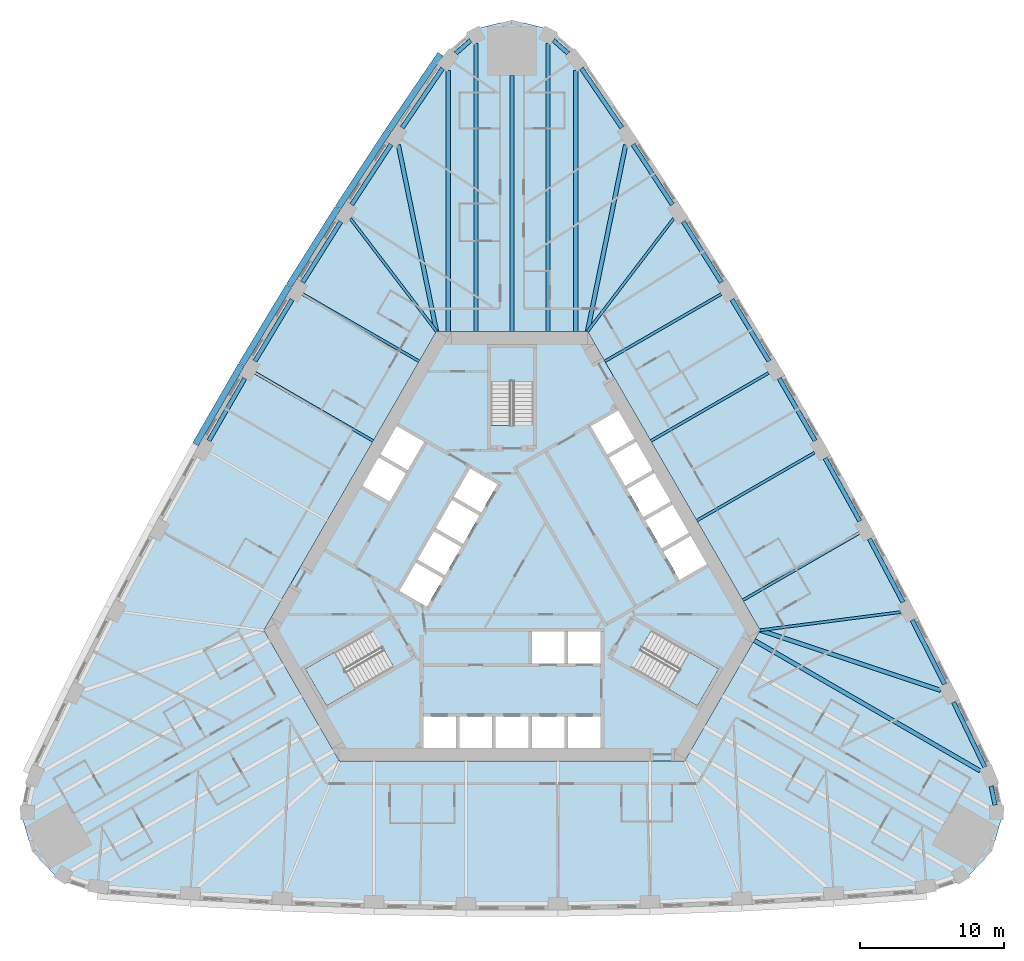
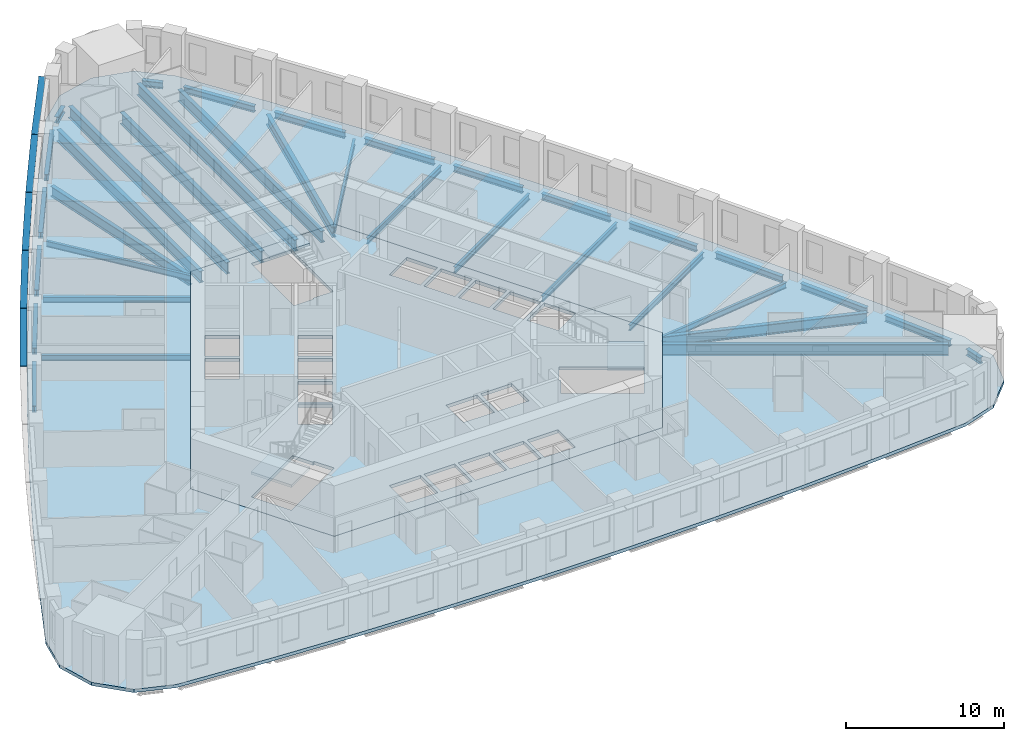
# One storey, part 2 of 13: 35 beams, 5 members, 5 slabs, 3 elements without a shape of their own.
"""IFC4 building model written with IfcOpenShell, lengths in metres."""

from ifc_helpers import new_model, si_unit, direction, frame, origin, origin_2d, place, context, subcontext, project, spatial, polyline, rectangle, i_section, outline, extrude, material, layer, layer_set, material_profile, profile_set, type_object, element, aggregate, save


model = new_model("IFC4")

# Units and contexts
model_context = context("Model", 3, precision=1e-05, world=origin(), true_north=direction((0.0, 1.0)))
body_context = subcontext(model_context, "Body", "Model", "MODEL_VIEW")
ifc_project = project(units=[si_unit("LENGTHUNIT", "METRE"), si_unit("AREAUNIT", "SQUARE_METRE"), si_unit("VOLUMEUNIT", "CUBIC_METRE"), si_unit("PLANEANGLEUNIT", "RADIAN"), si_unit("MASSUNIT", "GRAM", prefix="KILO")], contexts=[model_context])

# Site, building, storey
site_placement = place(None, origin())
site = spatial("IfcSite", under=ifc_project, at=site_placement, CompositionType="ELEMENT")
building_placement = place(site_placement, origin())
building = spatial("IfcBuilding", under=site, at=building_placement, Name="Mestral Congress Tower", CompositionType="ELEMENT")
storey_placement = place(building_placement, frame((0.0, 0.0, 58.800048828125)))
storey = spatial("IfcBuildingStorey", under=building, at=storey_placement, Name="L13", CompositionType="ELEMENT", Elevation=58.800048828125)

# Members
ifc_material_1 = material(Name="Glazed ceramic", Category="masonry")
ifc_material_profile_1 = material_profile(ifc_material_1, rectangle(XDim=0.449951171875, YDim=0.06005859375, at=origin_2d()), Name="Ceramic blade 450 x 60")
ifc_profile_set_1 = profile_set([ifc_material_profile_1], Name="Glazed ceramic")
member_type = type_object("IfcMemberType", Name="Facade sunshade blade 450 x 60", PredefinedType="USERDEFINED", material=ifc_profile_set_1)
member_1_placement = place(storey_placement, frame((-4.973388671875, 36.188232421875, 3.280029296875), z_axis=(-0.562633427576, -0.826706493367, 0.0), x_axis=(0.826706493367, -0.562633427576, 0.0)))
element("IfcMember", 1, at=member_1_placement, inside=storey, type_object=member_type, Name="Sunshade F2-00", ObjectType="SUNSHADE", PredefinedType="USERDEFINED", context=body_context, shape_type="SweptSolid", body=[
    extrude(rectangle(XDim=0.449951171875, YDim=0.06005859375, at=origin_2d()), origin(), (0.0, 0.0, 1.0), 6.4208984375),
])
member_2_placement = place(storey_placement, frame((-8.6103515625, 30.843505859375, 3.280029296875), z_axis=(-0.547211145376, -0.836994601163, 0.0), x_axis=(0.836994601163, -0.547211145376, 0.0)))
element("IfcMember", 2, at=member_2_placement, inside=storey, type_object=member_type, Name="Sunshade F2-01", ObjectType="SUNSHADE", PredefinedType="USERDEFINED", context=body_context, shape_type="SweptSolid", body=[
    extrude(rectangle(XDim=0.449951171875, YDim=0.06005859375, at=origin_2d()), origin(), (0.0, 0.0, 1.0), 6.368408203125),
])
for number, where, z_axis, x_axis, name in (
    (3, (-12.119140625, 25.47607421875, 3.280029296875), (-0.531665815747, -0.846954225662, 0.0), (0.846954225662, -0.531665815747, 0.0), "Sunshade F2-02"),
    (4, (-15.528076171875, 20.044921875, 3.280029296875), (-0.515904518528, -0.856646092481, 0.0), (0.856646092481, -0.515904518528, 0.0), "Sunshade F2-03"),
):
    element("IfcMember", number, at=place(storey_placement, frame(where, z_axis=z_axis, x_axis=x_axis)), inside=storey, type_object=member_type, Name=name, ObjectType="SUNSHADE", PredefinedType="USERDEFINED", context=body_context, shape_type="SweptSolid", body=[
        extrude(rectangle(XDim=0.449951171875, YDim=0.06005859375, at=origin_2d()), origin(), (0.0, 0.0, 1.0), 6.3681640625),
    ])
member_3_placement = place(storey_placement, frame((-18.8359375, 14.5517578125, 3.280029296875), z_axis=(-0.499990149842, -0.866031090701, 0.0), x_axis=(0.866031090701, -0.499990149842, 0.0)))
element("IfcMember", 5, at=member_3_placement, inside=storey, type_object=member_type, Name="Sunshade F2-04", ObjectType="SUNSHADE", PredefinedType="USERDEFINED", context=body_context, shape_type="SweptSolid", body=[
    extrude(rectangle(XDim=0.449951171875, YDim=0.06005859375, at=origin_2d()), origin(), (0.0, 0.0, 1.0), 6.368408203125),
])

# Beams
ifc_material_2 = material(Name="Steel S355", Category="steel")
ifc_material_profile_2 = material_profile(ifc_material_2, i_section(OverallWidth=0.300048828125, OverallDepth=0.800048828125, WebThickness=0.017578125, FlangeThickness=0.032958984375, FilletRadius=0.030029296875, at=origin_2d()), Name="HEB 800")
ifc_profile_set_2 = profile_set([ifc_material_profile_2], Name="Steel S355")
beam_type_1 = type_object("IfcBeamType", Name="Floor beam HEB 800 S355", PredefinedType="BEAM", material=ifc_profile_set_2)
for number, where, z_axis, x_axis, name in (
    (6, (29.8203125, -8.08349609375, -0.650146484375), (-0.948734931285, 0.316072824141, 0.0), (-0.316072824141, -0.948734931285, 0.0), "BM-L13-RB1-E01"),
    (7, (7.90966796875, 29.86669921875, -0.650146484375), (-0.200647311614, -0.979663542418, 0.0), (0.979663542418, -0.200647311614, 0.0), "BM-L13-RB1-E08"),
    (8, (-7.90966796875, 29.86669921875, -0.650146484375), (0.200647311614, -0.979663542418, 0.0), (0.979663542418, 0.200647311614, 0.0), "BM-L13-RB1-W01"),
):
    element("IfcBeam", number, at=place(storey_placement, frame(where, z_axis=z_axis, x_axis=x_axis)), inside=storey, type_object=beam_type_1, Name=name, PredefinedType="BEAM", context=body_context, shape_type="SweptSolid", body=[
        extrude(i_section(OverallWidth=0.300048828125, OverallDepth=0.800048828125, WebThickness=0.017578125, FlangeThickness=0.032958984375, FilletRadius=0.030029296875, at=origin_2d()), origin(), (0.0, 0.0, 1.0), 13.236083984375),
    ])
ifc_material_profile_3 = material_profile(ifc_material_2, i_section(OverallWidth=0.300048828125, OverallDepth=0.89990234375, WebThickness=0.0185546875, FlangeThickness=0.034912109375, FilletRadius=0.030029296875, at=origin_2d()), Name="HEB 900")
ifc_profile_set_3 = profile_set([ifc_material_profile_3], Name="Steel S355")
beam_type_2 = type_object("IfcBeamType", Name="Floor beam HEB 900 S355", PredefinedType="BEAM", material=ifc_profile_set_3)
beam_1_placement = place(storey_placement, frame((32.574462890625, -13.6845703125, -0.699951171875), z_axis=(-0.866029704776, 0.49999255039, 0.0), x_axis=(-0.49999255039, -0.866029704776, 0.0)))
element("IfcBeam", 9, at=beam_1_placement, inside=storey, type_object=beam_type_2, Name="BM-L13-RB1-E00", PredefinedType="BEAM", context=body_context, shape_type="SweptSolid", body=[
    extrude(i_section(OverallWidth=0.300048828125, OverallDepth=0.89990234375, WebThickness=0.0185546875, FlangeThickness=0.034912109375, FilletRadius=0.030029296875, at=origin_2d()), origin(), (0.0, 0.0, 1.0), 18.152587890625),
])
beam_2_placement = place(storey_placement, frame((4.43603515625, 35.052734375, -0.699951171875), z_axis=(0.0, -1.0, 0.0), x_axis=(1.0, 0.0, 0.0)))
element("IfcBeam", 10, at=beam_2_placement, inside=storey, type_object=beam_type_2, Name="BM-L13-RB1-E09", PredefinedType="BEAM", context=body_context, shape_type="SweptSolid", body=[
    extrude(i_section(OverallWidth=0.300048828125, OverallDepth=0.89990234375, WebThickness=0.0185546875, FlangeThickness=0.034912109375, FilletRadius=0.030029296875, at=origin_2d()), origin(), (0.0, 0.0, 1.0), 18.15283203125),
])
beam_3_placement = place(storey_placement, frame((2.503173828125, 36.91943359375, -0.699951171875), z_axis=(0.0, -1.0, 0.0), x_axis=(1.0, 0.0, 0.0)))
element("IfcBeam", 11, at=beam_3_placement, inside=storey, type_object=beam_type_2, Name="BM-L13-RB1-N1", PredefinedType="BEAM", context=body_context, shape_type="SweptSolid", body=[
    extrude(i_section(OverallWidth=0.300048828125, OverallDepth=0.89990234375, WebThickness=0.0185546875, FlangeThickness=0.034912109375, FilletRadius=0.030029296875, at=origin_2d()), origin(), (0.0, 0.0, 1.0), 20.01953125),
])
beam_4_placement = place(storey_placement, frame((0.0, 34.698974609375, -0.699951171875), z_axis=(0.0, -1.0, 0.0), x_axis=(1.0, 0.0, 0.0)))
element("IfcBeam", 12, at=beam_4_placement, inside=storey, type_object=beam_type_2, Name="BM-L13-RB1-N", PredefinedType="BEAM", context=body_context, shape_type="SweptSolid", body=[
    extrude(i_section(OverallWidth=0.300048828125, OverallDepth=0.89990234375, WebThickness=0.0185546875, FlangeThickness=0.034912109375, FilletRadius=0.030029296875, at=origin_2d()), origin(), (0.0, 0.0, 1.0), 17.799072265625),
])
beam_5_placement = place(storey_placement, frame((-2.503173828125, 36.91943359375, -0.699951171875), z_axis=(0.0, -1.0, 0.0), x_axis=(1.0, 0.0, 0.0)))
element("IfcBeam", 13, at=beam_5_placement, inside=storey, type_object=beam_type_2, Name="BM-L13-RB1-N3", PredefinedType="BEAM", context=body_context, shape_type="SweptSolid", body=[
    extrude(i_section(OverallWidth=0.300048828125, OverallDepth=0.89990234375, WebThickness=0.0185546875, FlangeThickness=0.034912109375, FilletRadius=0.030029296875, at=origin_2d()), origin(), (0.0, 0.0, 1.0), 20.01953125),
])
beam_6_placement = place(storey_placement, frame((-4.43603515625, 35.052734375, -0.699951171875), z_axis=(0.0, -1.0, 0.0), x_axis=(1.0, 0.0, 0.0)))
element("IfcBeam", 14, at=beam_6_placement, inside=storey, type_object=beam_type_2, Name="BM-L13-RB1-W00", PredefinedType="BEAM", context=body_context, shape_type="SweptSolid", body=[
    extrude(i_section(OverallWidth=0.300048828125, OverallDepth=0.89990234375, WebThickness=0.0185546875, FlangeThickness=0.034912109375, FilletRadius=0.030029296875, at=origin_2d()), origin(), (0.0, 0.0, 1.0), 18.15283203125),
])
ifc_material_profile_4 = material_profile(ifc_material_2, i_section(OverallWidth=0.18994140625, OverallDepth=0.449951171875, WebThickness=0.009521484375, FlangeThickness=0.0146484375, FilletRadius=0.02099609375, at=origin_2d()), Name="IPE 450")
ifc_profile_set_4 = profile_set([ifc_material_profile_4], Name="Steel S355")
beam_type_3 = type_object("IfcBeamType", Name="Floor beam IPE 450 S355", PredefinedType="BEAM", material=ifc_profile_set_4)
beam_7_placement = place(storey_placement, frame((27.058349609375, -2.6337890625, -0.47509765625), z_axis=(-0.99175011495, -0.128186229747, 0.0), x_axis=(0.128186229747, -0.99175011495, 0.0)))
element("IfcBeam", 15, at=beam_7_placement, inside=storey, type_object=beam_type_3, Name="BM-L13-RB1-E02", PredefinedType="BEAM", context=body_context, shape_type="SweptSolid", body=[
    extrude(i_section(OverallWidth=0.18994140625, OverallDepth=0.449951171875, WebThickness=0.009521484375, FlangeThickness=0.0146484375, FilletRadius=0.02099609375, at=origin_2d()), origin(), (0.0, 0.0, 1.0), 9.877197265625),
])
beam_8_placement = place(storey_placement, frame((24.150634765625, 2.859619140625, -0.47509765625), z_axis=(-0.866032011123, -0.499988555579, 0.0), x_axis=(0.499988555579, -0.866032011123, 0.0)))
element("IfcBeam", 16, at=beam_8_placement, inside=storey, type_object=beam_type_3, Name="BM-L13-RB1-E03", PredefinedType="BEAM", context=body_context, shape_type="SweptSolid", body=[
    extrude(i_section(OverallWidth=0.18994140625, OverallDepth=0.449951171875, WebThickness=0.009521484375, FlangeThickness=0.0146484375, FilletRadius=0.02099609375, at=origin_2d()), origin(), (0.0, 0.0, 1.0), 9.344970703125),
])
for number, where, z_axis, x_axis, name in (
    (17, (21.0537109375, 8.46044921875, -0.47509765625), (-0.866019749231, -0.500009793847, 0.0), (0.500009793847, -0.866019749231, 0.0), "BM-L13-RB1-E04"),
    (18, (17.853759765625, 14.0029296875, -0.47509765625), (-0.866019749231, -0.500009793847, 0.0), (0.500009793847, -0.866019749231, 0.0), "BM-L13-RB1-E05"),
):
    element("IfcBeam", number, at=place(storey_placement, frame(where, z_axis=z_axis, x_axis=x_axis)), inside=storey, type_object=beam_type_3, Name=name, PredefinedType="BEAM", context=body_context, shape_type="SweptSolid", body=[
        extrude(i_section(OverallWidth=0.18994140625, OverallDepth=0.449951171875, WebThickness=0.009521484375, FlangeThickness=0.0146484375, FilletRadius=0.02099609375, at=origin_2d()), origin(), (0.0, 0.0, 1.0), 9.463134765625),
    ])
beam_9_placement = place(storey_placement, frame((14.5517578125, 19.485107421875, -0.47509765625), z_axis=(-0.866025479842, -0.499999868264, 0.0), x_axis=(0.499999868264, -0.866025479842, 0.0)))
element("IfcBeam", 19, at=beam_9_placement, inside=storey, type_object=beam_type_3, Name="BM-L13-RB1-E06", PredefinedType="BEAM", context=body_context, shape_type="SweptSolid", body=[
    extrude(i_section(OverallWidth=0.18994140625, OverallDepth=0.449951171875, WebThickness=0.009521484375, FlangeThickness=0.0146484375, FilletRadius=0.02099609375, at=origin_2d()), origin(), (0.0, 0.0, 1.0), 9.3447265625),
])
for number, where, z_axis, x_axis, name in (
    (20, (11.248291015625, 24.75, -0.47509765625), (-0.606898557801, -0.794779303039, 0.0), (0.794779303039, -0.606898557801, 0.0), "BM-L13-RB1-E07"),
    (21, (-11.248291015625, 24.75, -0.47509765625), (0.606898557801, -0.794779303039, 0.0), (0.794779303039, 0.606898557801, 0.0), "BM-L13-RB1-W02"),
):
    element("IfcBeam", number, at=place(storey_placement, frame(where, z_axis=z_axis, x_axis=x_axis)), inside=storey, type_object=beam_type_3, Name=name, PredefinedType="BEAM", context=body_context, shape_type="SweptSolid", body=[
        extrude(i_section(OverallWidth=0.18994140625, OverallDepth=0.449951171875, WebThickness=0.009521484375, FlangeThickness=0.0146484375, FilletRadius=0.02099609375, at=origin_2d()), origin(), (0.0, 0.0, 1.0), 9.877197265625),
    ])
beam_10_placement = place(storey_placement, frame((-14.5517578125, 19.485107421875, -0.47509765625), z_axis=(0.866025479842, -0.499999868264, 0.0), x_axis=(0.499999868264, 0.866025479842, 0.0)))
element("IfcBeam", 22, at=beam_10_placement, inside=storey, type_object=beam_type_3, Name="BM-L13-RB1-W03", PredefinedType="BEAM", context=body_context, shape_type="SweptSolid", body=[
    extrude(i_section(OverallWidth=0.18994140625, OverallDepth=0.449951171875, WebThickness=0.009521484375, FlangeThickness=0.0146484375, FilletRadius=0.02099609375, at=origin_2d()), origin(), (0.0, 0.0, 1.0), 9.3447265625),
])
beam_11_placement = place(storey_placement, frame((-17.853759765625, 14.0029296875, -0.47509765625), z_axis=(0.866019749231, -0.500009793847, 0.0), x_axis=(0.500009793847, 0.866019749231, 0.0)))
element("IfcBeam", 23, at=beam_11_placement, inside=storey, type_object=beam_type_3, Name="BM-L13-RB1-W04", PredefinedType="BEAM", context=body_context, shape_type="SweptSolid", body=[
    extrude(i_section(OverallWidth=0.18994140625, OverallDepth=0.449951171875, WebThickness=0.009521484375, FlangeThickness=0.0146484375, FilletRadius=0.02099609375, at=origin_2d()), origin(), (0.0, 0.0, 1.0), 9.463134765625),
])
ifc_material_profile_5 = material_profile(ifc_material_2, i_section(OverallWidth=0.300048828125, OverallDepth=0.489990234375, WebThickness=0.011962890625, FlangeThickness=0.02294921875, FilletRadius=0.027099609375, at=origin_2d()), Name="HEA 500")
ifc_profile_set_5 = profile_set([ifc_material_profile_5], Name="Steel S355")
beam_type_4 = type_object("IfcBeamType", Name="Spandrel beam HEA 500 S355", PredefinedType="BEAM", material=ifc_profile_set_5)
beam_12_placement = place(storey_placement, frame((33.611328125, -16.0693359375, -0.4951171875), z_axis=(-0.197991750859, 0.980203686277, 0.0), x_axis=(-0.980203686277, -0.197991750859, 0.0)))
element("IfcBeam", 24, at=beam_12_placement, inside=storey, type_object=beam_type_4, Name="SP-L13-SB1-SE3", PredefinedType="BEAM", context=body_context, shape_type="SweptSolid", body=[
    extrude(i_section(OverallWidth=0.300048828125, OverallDepth=0.489990234375, WebThickness=0.011962890625, FlangeThickness=0.02294921875, FilletRadius=0.027099609375, at=origin_2d()), origin(), (0.0, 0.0, 1.0), 1.3515625),
])
beam_13_placement = place(storey_placement, frame((32.897705078125, -13.415283203125, -0.4951171875), z_axis=(-0.434645244295, 0.900601749727, 0.0), x_axis=(-0.900601749727, -0.434645244295, 0.0)))
element("IfcBeam", 25, at=beam_13_placement, inside=storey, type_object=beam_type_4, Name="SP-L13-SB1-E00", PredefinedType="BEAM", context=body_context, shape_type="SweptSolid", body=[
    extrude(i_section(OverallWidth=0.300048828125, OverallDepth=0.489990234375, WebThickness=0.011962890625, FlangeThickness=0.02294921875, FilletRadius=0.027099609375, at=origin_2d()), origin(), (0.0, 0.0, 1.0), 4.998046875),
])
beam_14_placement = place(storey_placement, frame((30.105224609375, -7.658935546875, -0.4951171875), z_axis=(-0.45123261425, 0.892406369227, 0.0), x_axis=(-0.892406369227, -0.45123261425, 0.0)))
element("IfcBeam", 26, at=beam_14_placement, inside=storey, type_object=beam_type_4, Name="SP-L13-SB1-E01", PredefinedType="BEAM", context=body_context, shape_type="SweptSolid", body=[
    extrude(i_section(OverallWidth=0.300048828125, OverallDepth=0.489990234375, WebThickness=0.011962890625, FlangeThickness=0.02294921875, FilletRadius=0.027099609375, at=origin_2d()), origin(), (0.0, 0.0, 1.0), 4.999755859375),
])
beam_15_placement = place(storey_placement, frame((27.2060546875, -1.95361328125, -0.4951171875), z_axis=(-0.467681307417, 0.883897162962, 0.0), x_axis=(-0.883897162962, -0.467681307417, 0.0)))
element("IfcBeam", 27, at=beam_15_placement, inside=storey, type_object=beam_type_4, Name="SP-L13-SB1-E02", PredefinedType="BEAM", context=body_context, shape_type="SweptSolid", body=[
    extrude(i_section(OverallWidth=0.300048828125, OverallDepth=0.489990234375, WebThickness=0.011962890625, FlangeThickness=0.02294921875, FilletRadius=0.027099609375, at=origin_2d()), origin(), (0.0, 0.0, 1.0), 5.0),
])
for number, where, z_axis, x_axis, name in (
    (28, (24.20166015625, 3.697265625, -0.4951171875), (-0.483900688062, 0.875122919419, 0.0), (-0.875122919419, -0.483900688062, 0.0), "SP-L13-SB1-E03"),
    (29, (21.093505859375, 9.291748046875, -0.4951171875), (-0.50002537861, 0.866010750942, 0.0), (-0.866010750942, -0.50002537861, 0.0), "SP-L13-SB1-E04"),
    (30, (17.88232421875, 14.82763671875, -0.4951171875), (-0.515938385622, 0.85662569553, 0.0), (-0.85662569553, -0.515938385622, 0.0), "SP-L13-SB1-E05"),
    (31, (14.5693359375, 20.302978515625, -0.4951171875), (-0.531661433361, 0.846956976639, 0.0), (-0.846956976639, -0.531661433361, 0.0), "SP-L13-SB1-E06"),
):
    element("IfcBeam", number, at=place(storey_placement, frame(where, z_axis=z_axis, x_axis=x_axis)), inside=storey, type_object=beam_type_4, Name=name, PredefinedType="BEAM", context=body_context, shape_type="SweptSolid", body=[
        extrude(i_section(OverallWidth=0.300048828125, OverallDepth=0.489990234375, WebThickness=0.011962890625, FlangeThickness=0.02294921875, FilletRadius=0.027099609375, at=origin_2d()), origin(), (0.0, 0.0, 1.0), 4.999755859375),
    ])
beam_16_placement = place(storey_placement, frame((11.156005859375, 25.716552734375, -0.4951171875), z_axis=(-0.547263834194, 0.836960151849, 0.0), x_axis=(-0.836960151849, -0.547263834194, 0.0)))
element("IfcBeam", 32, at=beam_16_placement, inside=storey, type_object=beam_type_4, Name="SP-L13-SB1-E07", PredefinedType="BEAM", context=body_context, shape_type="SweptSolid", body=[
    extrude(i_section(OverallWidth=0.300048828125, OverallDepth=0.489990234375, WebThickness=0.011962890625, FlangeThickness=0.02294921875, FilletRadius=0.027099609375, at=origin_2d()), origin(), (0.0, 0.0, 1.0), 5.0),
])
beam_17_placement = place(storey_placement, frame((7.642822265625, 31.06591796875, -0.4951171875), z_axis=(-0.562610596841, 0.826722030868, 0.0), x_axis=(-0.826722030868, -0.562610596841, 0.0)))
element("IfcBeam", 33, at=beam_17_placement, inside=storey, type_object=beam_type_4, Name="SP-L13-SB1-E08", PredefinedType="BEAM", context=body_context, shape_type="SweptSolid", body=[
    extrude(i_section(OverallWidth=0.300048828125, OverallDepth=0.489990234375, WebThickness=0.011962890625, FlangeThickness=0.02294921875, FilletRadius=0.027099609375, at=origin_2d()), origin(), (0.0, 0.0, 1.0), 4.998046875),
])
for number, where, z_axis, x_axis, name in (
    (34, (3.902587890625, 36.248779296875, -0.4951171875), (-0.749806226219, 0.661657481725, 0.0), (-0.661657481725, -0.749806226219, 0.0), "SP-L13-SB1-E09"),
    (35, (-2.88916015625, 37.14306640625, -0.4951171875), (-0.749806226219, -0.661657481725, 0.0), (0.661657481725, -0.749806226219, 0.0), "SP-L13-SB1-N3"),
):
    element("IfcBeam", number, at=place(storey_placement, frame(where, z_axis=z_axis, x_axis=x_axis)), inside=storey, type_object=beam_type_4, Name=name, PredefinedType="BEAM", context=body_context, shape_type="SweptSolid", body=[
        extrude(i_section(OverallWidth=0.300048828125, OverallDepth=0.489990234375, WebThickness=0.011962890625, FlangeThickness=0.02294921875, FilletRadius=0.027099609375, at=origin_2d()), origin(), (0.0, 0.0, 1.0), 1.3515625),
    ])
beam_18_placement = place(storey_placement, frame((-4.830810546875, 35.197998046875, -0.4951171875), z_axis=(-0.562610596841, -0.826722030868, 0.0), x_axis=(0.826722030868, -0.562610596841, 0.0)))
element("IfcBeam", 36, at=beam_18_placement, inside=storey, type_object=beam_type_4, Name="SP-L13-SB1-W00", PredefinedType="BEAM", context=body_context, shape_type="SweptSolid", body=[
    extrude(i_section(OverallWidth=0.300048828125, OverallDepth=0.489990234375, WebThickness=0.011962890625, FlangeThickness=0.02294921875, FilletRadius=0.027099609375, at=origin_2d()), origin(), (0.0, 0.0, 1.0), 4.998046875),
])
beam_19_placement = place(storey_placement, frame((-8.419677734375, 29.9013671875, -0.4951171875), z_axis=(-0.547263834194, -0.836960151849, 0.0), x_axis=(0.836960151849, -0.547263834194, 0.0)))
element("IfcBeam", 37, at=beam_19_placement, inside=storey, type_object=beam_type_4, Name="SP-L13-SB1-W01", PredefinedType="BEAM", context=body_context, shape_type="SweptSolid", body=[
    extrude(i_section(OverallWidth=0.300048828125, OverallDepth=0.489990234375, WebThickness=0.011962890625, FlangeThickness=0.02294921875, FilletRadius=0.027099609375, at=origin_2d()), origin(), (0.0, 0.0, 1.0), 5.0),
])
for number, where, z_axis, x_axis, name in (
    (38, (-11.9111328125, 24.53759765625, -0.4951171875), (-0.531661433361, -0.846956976639, 0.0), (0.846956976639, -0.531661433361, 0.0), "SP-L13-SB1-W02"),
    (39, (-15.302734375, 19.110595703125, -0.4951171875), (-0.515938385622, -0.85662569553, 0.0), (0.85662569553, -0.515938385622, 0.0), "SP-L13-SB1-W03"),
    (40, (-18.593505859375, 13.62158203125, -0.4951171875), (-0.50002537861, -0.866010750942, 0.0), (0.866010750942, -0.50002537861, 0.0), "SP-L13-SB1-W04"),
):
    element("IfcBeam", number, at=place(storey_placement, frame(where, z_axis=z_axis, x_axis=x_axis)), inside=storey, type_object=beam_type_4, Name=name, PredefinedType="BEAM", context=body_context, shape_type="SweptSolid", body=[
        extrude(i_section(OverallWidth=0.300048828125, OverallDepth=0.489990234375, WebThickness=0.011962890625, FlangeThickness=0.02294921875, FilletRadius=0.027099609375, at=origin_2d()), origin(), (0.0, 0.0, 1.0), 4.999755859375),
    ])

# Slabs
ifc_material_3 = material(Name="Concrete C35/45", Category="concrete")
ifc_layer_1 = layer(ifc_material_3, 0.25)
ifc_layer_set_1 = layer_set([ifc_layer_1], Name="Concrete C35/45")
slab_type_1 = type_object("IfcSlabType", Name="Composite floor slab 250", PredefinedType="FLOOR", material=ifc_layer_set_1)
placement_1 = place(storey_placement, frame((0.0, 0.0, -0.25)))
element("IfcSlab", 41, at=placement_1, inside=storey, type_object=slab_type_1, Name="SL-L13", PredefinedType="FLOOR", context=body_context, shape_type="SweptSolid", body=[
    extrude(outline(polyline([(-28.8564453125, -22.17529296875), (-31.45849609375, -21.301025390625), (-33.39599609375, -19.28125), (-34.176513671875, -16.59326171875), (-33.6328125, -13.90283203125), (-30.824462890625, -8.084228515625), (-27.93310546875, -2.365478515625), (-24.936279296875, 3.298828125), (-21.835205078125, 8.90673828125), (-18.631103515625, 14.45654296875), (-15.324951171875, 19.946044921875), (-11.91796875, 25.373291015625), (-8.4111328125, 30.737060546875), (-4.776123046875, 36.078125), (-2.718017578125, 37.894287109375), (0.0, 38.562255859375), (2.718017578125, 37.894287109375), (4.776123046875, 36.078125), (8.4111328125, 30.737060546875), (11.91796875, 25.373291015625), (15.324951171875, 19.946044921875), (18.631103515625, 14.45654296875), (21.835205078125, 8.90673828125), (24.936279296875, 3.298828125), (27.93310546875, -2.365478515625), (30.824462890625, -8.084228515625), (33.6328125, -13.90283203125), (34.176513671875, -16.59326171875), (33.39599609375, -19.28125), (31.45849609375, -21.301025390625), (28.8564453125, -22.17529296875), (22.41357421875, -22.652587890625), (16.01513671875, -23.0078125), (9.611083984375, -23.244873046875), (3.2041015625, -23.36328125), (-3.2041015625, -23.36328125), (-9.611083984375, -23.244873046875), (-16.01513671875, -23.0078125), (-22.41357421875, -22.652587890625), (-28.8564453125, -22.17529296875)]), holes=[polyline([(-5.25390625, 16.89990234375), (-17.2626953125, -3.89990234375), (-12.0087890625, -13.0), (12.0087890625, -13.0), (17.2626953125, -3.89990234375), (5.25390625, 16.89990234375), (-5.25390625, 16.89990234375)])]), origin(), (0.0, 0.0, 1.0), 0.25),
])
ifc_material_4 = material(Name="Concrete C60/75", Category="concrete")
ifc_layer_2 = layer(ifc_material_4, 0.25)
ifc_layer_set_2 = layer_set([ifc_layer_2], Name="Concrete C60/75")
slab_type_2 = type_object("IfcSlabType", Name="Core floor slab RC 250", PredefinedType="FLOOR", material=ifc_layer_set_2)
element("IfcSlab", 42, at=placement_1, inside=storey, type_object=slab_type_2, Name="L13 core floor", PredefinedType="FLOOR", context=body_context, shape_type="SweptSolid", body=[
    extrude(outline(polyline([(12.0087890625, -13.0), (-12.0087890625, -13.0), (-17.2626953125, -3.89990234375), (-5.25390625, 16.89990234375), (5.25390625, 16.89990234375), (17.2626953125, -3.89990234375), (12.0087890625, -13.0)]), holes=[polyline([(-3.905029296875, -9.89990234375), (-6.175048828125, -9.89990234375), (-6.175048828125, -12.10009765625), (-3.905029296875, -12.10009765625), (-3.905029296875, -9.89990234375)]), polyline([(-1.385009765625, -9.89990234375), (-3.655029296875, -9.89990234375), (-3.655029296875, -12.10009765625), (-1.385009765625, -12.10009765625), (-1.385009765625, -9.89990234375)]), polyline([(1.135009765625, -9.89990234375), (-1.135009765625, -9.89990234375), (-1.135009765625, -12.10009765625), (1.135009765625, -12.10009765625), (1.135009765625, -9.89990234375)]), polyline([(-9.0673828125, -5.235107421875), (-9.8046875, -3.95751953125), (-14.37744140625, -6.59765625), (-12.90234375, -9.15234375), (-8.234619140625, -6.45751953125), (-8.971923828125, -5.179931640625), (-9.0673828125, -5.235107421875)]), polyline([(-7.826904296875, -1.156494140625), (-5.921630859375, -2.256591796875), (-4.78662109375, -0.29052734375), (-6.69189453125, 0.809326171875), (-7.826904296875, -1.156494140625)]), polyline([(-4.66162109375, -0.07421875), (-3.526611328125, 1.8916015625), (-5.431884765625, 2.99169921875), (-6.56689453125, 1.02587890625), (-4.66162109375, -0.07421875)]), polyline([(-3.401611328125, 2.1083984375), (-2.2666015625, 4.07421875), (-4.171875, 5.174072265625), (-5.306884765625, 3.208251953125), (-3.401611328125, 2.1083984375)]), polyline([(-2.1416015625, 4.29052734375), (-1.006591796875, 6.256591796875), (-2.911865234375, 7.3564453125), (-4.046875, 5.390625), (-2.1416015625, 4.29052734375)]), polyline([(-10.41650390625, 6.158203125), (-8.51123046875, 5.058349609375), (-7.376220703125, 7.024169921875), (-9.281494140625, 8.1240234375), (-10.41650390625, 6.158203125)]), polyline([(-9.156494140625, 8.340576171875), (-7.251220703125, 7.240478515625), (-6.1162109375, 9.20654296875), (-8.021484375, 10.306396484375), (-9.156494140625, 8.340576171875)]), polyline([(1.47509765625, 10.469970703125), (1.47509765625, 15.75), (-1.47509765625, 15.75), (-1.47509765625, 10.360107421875), (0.0, 10.360107421875), (0.0, 10.469970703125), (1.47509765625, 10.469970703125)]), polyline([(3.655029296875, -9.89990234375), (1.385009765625, -9.89990234375), (1.385009765625, -12.10009765625), (3.655029296875, -12.10009765625), (3.655029296875, -9.89990234375)]), polyline([(6.175048828125, -9.89990234375), (3.905029296875, -9.89990234375), (3.905029296875, -12.10009765625), (6.175048828125, -12.10009765625), (6.175048828125, -9.89990234375)]), polyline([(9.0673828125, -5.235107421875), (8.329833984375, -6.512451171875), (12.90234375, -9.15234375), (14.37744140625, -6.59765625), (9.70947265625, -3.902587890625), (8.971923828125, -5.179931640625), (9.0673828125, -5.235107421875)]), polyline([(3.655029296875, -6.199951171875), (3.655029296875, -4.0), (1.385009765625, -4.0), (1.385009765625, -6.199951171875), (3.655029296875, -6.199951171875)]), polyline([(6.175048828125, -4.0), (3.905029296875, -4.0), (3.905029296875, -6.199951171875), (6.175048828125, -6.199951171875), (6.175048828125, -4.0)]), polyline([(12.431396484375, 2.668212890625), (10.526123046875, 1.568115234375), (11.6611328125, -0.397705078125), (13.56640625, 0.702392578125), (12.431396484375, 2.668212890625)]), polyline([(11.17138671875, 4.8505859375), (9.26611328125, 3.75048828125), (10.401123046875, 1.78466796875), (12.306396484375, 2.884765625), (11.17138671875, 4.8505859375)]), polyline([(8.006103515625, 5.932861328125), (9.14111328125, 3.967041015625), (11.04638671875, 5.067138671875), (9.911376953125, 7.032958984375), (8.006103515625, 5.932861328125)]), polyline([(8.6513671875, 9.21533203125), (6.74609375, 8.115234375), (7.881103515625, 6.1494140625), (9.786376953125, 7.24951171875), (8.6513671875, 9.21533203125)]), polyline([(7.391357421875, 11.397705078125), (5.486083984375, 10.297607421875), (6.62109375, 8.331787109375), (8.5263671875, 9.431884765625), (7.391357421875, 11.397705078125)])]), origin(), (0.0, 0.0, 1.0), 0.25),
])

# Stair, slab
stair_type = type_object("IfcStairType", Name="Exit stair 1400", PredefinedType="HALF_TURN_STAIR", material=ifc_material_4)
placement_2 = place(storey_placement, origin())
stair_1 = element("IfcStair", 43, at=placement_2, inside=storey, type_object=stair_type, Name="L13 ST1", PredefinedType="HALF_TURN_STAIR")
ifc_layer_3 = layer(ifc_material_4, 0.199951171875)
ifc_layer_set_3 = layer_set([ifc_layer_3], Name="Concrete C60/75")
slab_type_3 = type_object("IfcSlabType", Name="Exit stair landing 200", PredefinedType="LANDING", material=ifc_layer_set_3)
placement_3 = place(storey_placement, frame((0.0, 0.0, 1.75)))
slab_3 = element("IfcSlab", 44, at=placement_3, type_object=slab_type_3, Name="ST1 landing 1", PredefinedType="LANDING", context=body_context, shape_type="SweptSolid", body=[
    extrude(outline(polyline([(10.879638671875, -7.99609375), (12.364501953125, -5.424072265625), (14.39111328125, -6.593994140625), (12.906005859375, -9.166015625), (10.879638671875, -7.99609375)])), origin(), (0.0, 0.0, 1.0), 0.199951171875),
])
aggregate(stair_1, [slab_3])

stair_2 = element("IfcStair", 45, at=placement_2, inside=storey, type_object=stair_type, Name="L13 ST2", PredefinedType="HALF_TURN_STAIR")
slab_4 = element("IfcSlab", 46, at=placement_3, type_object=slab_type_3, Name="ST2 landing 1", PredefinedType="LANDING", context=body_context, shape_type="SweptSolid", body=[
    extrude(outline(polyline([(1.485107421875, 13.419921875), (-1.485107421875, 13.419921875), (-1.485107421875, 15.760009765625), (1.485107421875, 15.760009765625), (1.485107421875, 13.419921875)])), origin(), (0.0, 0.0, 1.0), 0.199951171875),
])
aggregate(stair_2, [slab_4])

stair_3 = element("IfcStair", 47, at=placement_2, inside=storey, type_object=stair_type, Name="L13 ST3", PredefinedType="HALF_TURN_STAIR")
slab_5 = element("IfcSlab", 48, at=placement_3, type_object=slab_type_3, Name="ST3 landing 1", PredefinedType="LANDING", context=body_context, shape_type="SweptSolid", body=[
    extrude(outline(polyline([(-12.364501953125, -5.424072265625), (-10.879638671875, -7.99609375), (-12.906005859375, -9.166015625), (-14.39111328125, -6.593994140625), (-12.364501953125, -5.424072265625)])), origin(), (0.0, 0.0, 1.0), 0.199951171875),
])
aggregate(stair_3, [slab_5])

save(model, "model.ifc")
